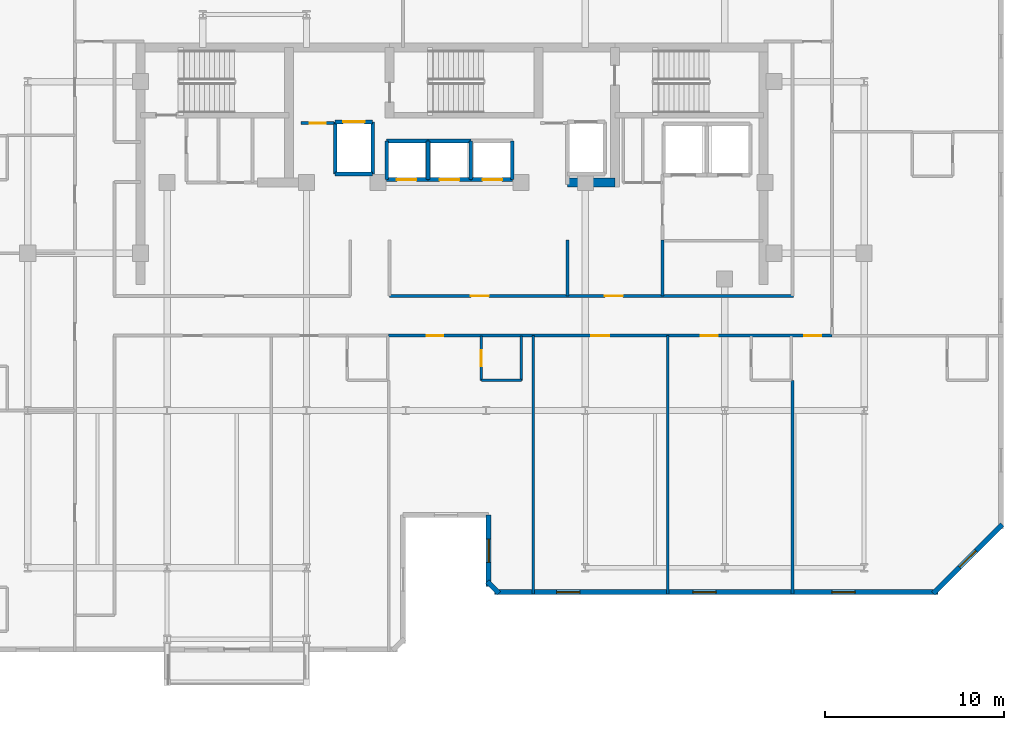
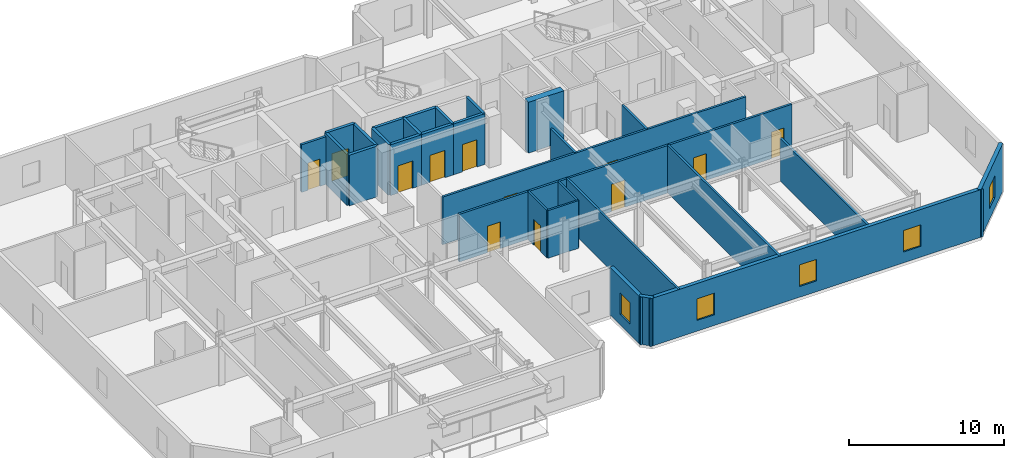
# One storey, part 5 of 10: 29 walls, 12 doors, 5 windows, 17 openings.
"""IFC4 building model written with IfcOpenShell, lengths in metres."""

from ifc_helpers import new_model, si_unit, direction, frame, frame_2d, origin, place, context, subcontext, project, spatial, rectangle, extrude, material, layer, layer_set, type_object, element, fill, save


model = new_model("IFC4")

# Units and contexts
model_context = context("Model", 3, precision=1e-05, world=origin(), true_north=direction((0.0, 1.0)))
body_context = subcontext(model_context, "Body", "Model", "MODEL_VIEW")
ifc_project = project(units=[si_unit("LENGTHUNIT", "METRE"), si_unit("AREAUNIT", "SQUARE_METRE"), si_unit("VOLUMEUNIT", "CUBIC_METRE"), si_unit("PLANEANGLEUNIT", "RADIAN"), si_unit("MASSUNIT", "GRAM", prefix="KILO")], contexts=[model_context])

# Site, building, storey
site_placement = place(None, origin())
site = spatial("IfcSite", under=ifc_project, at=site_placement, CompositionType="ELEMENT")
building_placement = place(site_placement, origin())
building = spatial("IfcBuilding", under=site, at=building_placement, Name="Kestravale Grand Hotel", CompositionType="ELEMENT")
storey_placement = place(building_placement, frame((0.0, 0.0, 273.39990234375)))
storey = spatial("IfcBuildingStorey", under=building, at=storey_placement, Name="L68", CompositionType="ELEMENT", Elevation=273.39990234375)

# Wall
ifc_material_1 = material(Name="Concrete f'c 50 MPa", Category="concrete")
ifc_layer_1 = layer(ifc_material_1, 0.5)
ifc_layer_set_1 = layer_set([ifc_layer_1], Name="EW-CORE-500")
wall_type_1 = type_object("IfcWallType", Name="EW-CORE-500", PredefinedType="SHEAR", material=ifc_layer_set_1)
wall_1_placement = place(storey_placement, frame((45.81005859375, 32.75, 0.0), z_axis=(0.0, 0.0, 1.0), x_axis=(1.0, 0.0, 0.0)))
element("IfcWall", 1, at=wall_1_placement, inside=storey, type_object=wall_type_1, Name="L68 core shear wall S2", PredefinedType="SHEAR", context=body_context, shape_type="SweptSolid", body=[
    extrude(rectangle(XDim=2.639892578125, YDim=0.5, at=frame_2d((1.31982421875, 0.0))), origin(), (0.0, 0.0, 1.0), 4.0),
])

# Wall, opening, window
ifc_material_2 = material(Name="Precast concrete f'c 45 MPa", Category="concrete")
ifc_layer_2 = layer(ifc_material_2, 0.280029296875)
ifc_layer_set_2 = layer_set([ifc_layer_2], Name="EW-PREC-280")
wall_type_2 = type_object("IfcWallType", Name="EW-PREC-280", PredefinedType="SOLIDWALL", material=ifc_layer_set_2)
wall_2_placement = place(storey_placement, frame((41.389892578125, 14.139892578125, 0.0), z_axis=(0.0, 0.0, 1.0), x_axis=(0.0, -1.0, 0.0)))
wall_2 = element("IfcWall", 2, at=wall_2_placement, inside=storey, type_object=wall_type_2, Name="L68 fluted precast facade wall 5", PredefinedType="SOLIDWALL", context=body_context, shape_type="SweptSolid", body=[
    extrude(rectangle(XDim=3.97998046875, YDim=0.280029296875, at=frame_2d((1.989990234375, 0.0))), origin(), (0.0, 0.0, 1.0), 3.760009765625),
])
opening_1_placement = place(wall_2_placement, frame((1.340087890625, 0.0, 0.85009765625)))
opening_1 = element("IfcOpeningElement", 3, at=opening_1_placement, cuts=wall_2, Name="Opening W-GUEST-1300", PredefinedType="OPENING", context=body_context, shape_type="SweptSolid", body=[
    extrude(rectangle(XDim=1.300048828125, YDim=1.699951171875, at=frame_2d((0.64990234375, 0.85009765625))), frame((0.0, 0.14990234375, 0.0), z_axis=(0.0, -1.0, 0.0), x_axis=(1.0, 0.0, 0.0)), (0.0, 0.0, 1.0), 0.300048828125),
])
ifc_material_3 = material(Name="Insulated low-E double glazing in aluminium frame", Category="aluminium")
window_type = type_object("IfcWindowType", Name="W-GUEST-1300", PartitioningType="SINGLE_PANEL", PredefinedType="WINDOW", material=ifc_material_3)
window_1_placement = place(opening_1_placement, origin())
window_1 = element("IfcWindow", 4, at=window_1_placement, inside=storey, type_object=window_type, Name="L68 exterior window 5.1", OverallHeight=1.699951171875, OverallWidth=1.300048828125, PartitioningType="SINGLE_PANEL", PredefinedType="WINDOW", context=body_context, shape_type="SweptSolid", body=[
    extrude(rectangle(XDim=1.300048828125, YDim=1.699951171875, at=frame_2d((0.64990234375, 0.85009765625))), frame((0.0, 0.030029296875, 0.0), z_axis=(0.0, -1.0, 0.0), x_axis=(1.0, 0.0, 0.0)), (0.0, 0.0, 1.0), 0.06005859375),
])
fill(opening_1, window_1)

# Wall
wall_3_placement = place(storey_placement, frame((41.32080078125, 10.42724609375, 0.0), z_axis=(0.0, 0.0, 1.0), x_axis=(0.707106781187, -0.707106781187, 0.0)))
element("IfcWall", 5, at=wall_3_placement, inside=storey, type_object=wall_type_2, Name="L68 fluted precast facade wall 6", PredefinedType="SOLIDWALL", context=body_context, shape_type="SweptSolid", body=[
    extrude(rectangle(XDim=0.928466796875, YDim=0.280029296875, at=frame_2d((0.46435546875, 0.0))), origin(), (0.0, 0.0, 1.0), 3.760009765625),
])

# Wall, openings, windows
wall_4_placement = place(storey_placement, frame((41.7099609375, 9.840087890625, 0.0), z_axis=(0.0, 0.0, 1.0), x_axis=(1.0, 0.0, 0.0)))
wall_4 = element("IfcWall", 6, at=wall_4_placement, inside=storey, type_object=wall_type_2, Name="L68 fluted precast facade wall 7", PredefinedType="SOLIDWALL", context=body_context, shape_type="SweptSolid", body=[
    extrude(rectangle(XDim=24.830078125, YDim=0.280029296875, at=frame_2d((12.4150390625, 0.0))), origin(), (0.0, 0.0, 1.0), 3.760009765625),
])
opening_2_placement = place(wall_4_placement, frame((3.48828125, 0.0, 0.85009765625)))
opening_2 = element("IfcOpeningElement", 7, at=opening_2_placement, cuts=wall_4, Name="Opening W-GUEST-1300", PredefinedType="OPENING", context=body_context, shape_type="SweptSolid", body=[
    extrude(rectangle(XDim=1.300048828125, YDim=1.699951171875, at=frame_2d((0.64990234375, 0.85009765625))), frame((0.0, 0.14990234375, 0.0), z_axis=(0.0, -1.0, 0.0), x_axis=(1.0, 0.0, 0.0)), (0.0, 0.0, 1.0), 0.300048828125),
])
opening_3_placement = place(wall_4_placement, frame((11.114990234375, 0.0, 0.85009765625)))
opening_3 = element("IfcOpeningElement", 8, at=opening_3_placement, cuts=wall_4, Name="Opening W-GUEST-1300", PredefinedType="OPENING", context=body_context, shape_type="SweptSolid", body=[
    extrude(rectangle(XDim=1.300048828125, YDim=1.699951171875, at=frame_2d((0.64990234375, 0.85009765625))), frame((0.0, 0.14990234375, 0.0), z_axis=(0.0, -1.0, 0.0), x_axis=(1.0, 0.0, 0.0)), (0.0, 0.0, 1.0), 0.300048828125),
])
opening_4_placement = place(wall_4_placement, frame((18.8916015625, 0.0, 0.85009765625)))
opening_4 = element("IfcOpeningElement", 9, at=opening_4_placement, cuts=wall_4, Name="Opening W-GUEST-1300", PredefinedType="OPENING", context=body_context, shape_type="SweptSolid", body=[
    extrude(rectangle(XDim=1.300048828125, YDim=1.699951171875, at=frame_2d((0.64990234375, 0.85009765625))), frame((0.0, 0.14990234375, 0.0), z_axis=(0.0, -1.0, 0.0), x_axis=(1.0, 0.0, 0.0)), (0.0, 0.0, 1.0), 0.300048828125),
])
window_2_placement = place(opening_2_placement, origin())
window_2 = element("IfcWindow", 10, at=window_2_placement, inside=storey, type_object=window_type, Name="L68 exterior window 7.1", OverallHeight=1.699951171875, OverallWidth=1.300048828125, PartitioningType="SINGLE_PANEL", PredefinedType="WINDOW", context=body_context, shape_type="SweptSolid", body=[
    extrude(rectangle(XDim=1.300048828125, YDim=1.699951171875, at=frame_2d((0.64990234375, 0.85009765625))), frame((0.0, 0.030029296875, 0.0), z_axis=(0.0, -1.0, 0.0), x_axis=(1.0, 0.0, 0.0)), (0.0, 0.0, 1.0), 0.06005859375),
])
fill(opening_2, window_2)
window_3_placement = place(opening_3_placement, origin())
window_3 = element("IfcWindow", 11, at=window_3_placement, inside=storey, type_object=window_type, Name="L68 exterior window 7.2", OverallHeight=1.699951171875, OverallWidth=1.300048828125, PartitioningType="SINGLE_PANEL", PredefinedType="WINDOW", context=body_context, shape_type="SweptSolid", body=[
    extrude(rectangle(XDim=1.300048828125, YDim=1.699951171875, at=frame_2d((0.64990234375, 0.85009765625))), frame((0.0, 0.030029296875, 0.0), z_axis=(0.0, -1.0, 0.0), x_axis=(1.0, 0.0, 0.0)), (0.0, 0.0, 1.0), 0.06005859375),
])
fill(opening_3, window_3)
window_4_placement = place(opening_4_placement, origin())
window_4 = element("IfcWindow", 12, at=window_4_placement, inside=storey, type_object=window_type, Name="L68 exterior window 7.3", OverallHeight=1.699951171875, OverallWidth=1.300048828125, PartitioningType="SINGLE_PANEL", PredefinedType="WINDOW", context=body_context, shape_type="SweptSolid", body=[
    extrude(rectangle(XDim=1.300048828125, YDim=1.699951171875, at=frame_2d((0.64990234375, 0.85009765625))), frame((0.0, 0.030029296875, 0.0), z_axis=(0.0, -1.0, 0.0), x_axis=(1.0, 0.0, 0.0)), (0.0, 0.0, 1.0), 0.06005859375),
])
fill(opening_4, window_4)

# Wall, opening, window
wall_5_placement = place(storey_placement, frame((66.272705078125, 9.770751953125, 0.0), z_axis=(0.0, 0.0, 1.0), x_axis=(0.707129162587, 0.707084399077, 0.0)))
wall_5 = element("IfcWall", 13, at=wall_5_placement, inside=storey, type_object=wall_type_2, Name="L68 fluted precast facade wall 8", PredefinedType="SOLIDWALL", context=body_context, shape_type="SweptSolid", body=[
    extrude(rectangle(XDim=5.4541015625, YDim=0.280029296875, at=frame_2d((2.72705078125, 0.0))), origin(), (0.0, 0.0, 1.0), 3.760009765625),
])
opening_5_placement = place(wall_5_placement, frame((2.076904296875, 0.0, 0.85009765625)))
opening_5 = element("IfcOpeningElement", 14, at=opening_5_placement, cuts=wall_5, Name="Opening W-GUEST-1300", PredefinedType="OPENING", context=body_context, shape_type="SweptSolid", body=[
    extrude(rectangle(XDim=1.300048828125, YDim=1.699951171875, at=frame_2d((0.64990234375, 0.85009765625))), frame((0.0, 0.14990234375, 0.0), z_axis=(0.0, -1.0, 0.0), x_axis=(1.0, 0.0, 0.0)), (0.0, 0.0, 1.0), 0.300048828125),
])
window_5_placement = place(opening_5_placement, origin())
window_5 = element("IfcWindow", 15, at=window_5_placement, inside=storey, type_object=window_type, Name="L68 exterior window 8.1", OverallHeight=1.699951171875, OverallWidth=1.300048828125, PartitioningType="SINGLE_PANEL", PredefinedType="WINDOW", context=body_context, shape_type="SweptSolid", body=[
    extrude(rectangle(XDim=1.300048828125, YDim=1.699951171875, at=frame_2d((0.64990234375, 0.85009765625))), frame((0.0, 0.030029296875, 0.0), z_axis=(0.0, -1.0, 0.0), x_axis=(1.0, 0.0, 0.0)), (0.0, 0.0, 1.0), 0.06005859375),
])
fill(opening_5, window_5)

# Wall, openings, doors
ifc_material_4 = material(Name="Acoustic fire-rated gypsum board partition", Category="other")
ifc_layer_3 = layer(ifc_material_4, 0.159912109375)
ifc_layer_set_3 = layer_set([ifc_layer_3], Name="IW-CORR-160")
wall_type_3 = type_object("IfcWallType", Name="IW-CORR-160", PredefinedType="PARTITIONING", material=ifc_layer_set_3)
wall_6_placement = place(storey_placement, frame((35.85009765625, 26.409912109375, 0.0), z_axis=(0.0, 0.0, 1.0), x_axis=(1.0, 0.0, 0.0)))
wall_6 = element("IfcWall", 16, at=wall_6_placement, inside=storey, type_object=wall_type_3, Name="W-L68-CE-N", PredefinedType="PARTITIONING", context=body_context, shape_type="SweptSolid", body=[
    extrude(rectangle(XDim=22.599853515625, YDim=0.159912109375, at=frame_2d((11.2998046875, 0.0))), origin(), (0.0, 0.0, 1.0), 3.760009765625),
])
opening_6_placement = place(wall_6_placement, frame((4.550048828125, 0.0, 0.0)))
opening_6 = element("IfcOpeningElement", 17, at=opening_6_placement, cuts=wall_6, Name="Opening D-GUEST-1000", PredefinedType="OPENING", context=body_context, shape_type="SweptSolid", body=[
    extrude(rectangle(XDim=1.0, YDim=2.14990234375, at=frame_2d((0.5, 1.074951171875))), frame((0.0, 0.08984375, 0.0), z_axis=(0.0, -1.0, 0.0), x_axis=(1.0, 0.0, 0.0)), (0.0, 0.0, 1.0), 0.179931640625),
])
opening_7_placement = place(wall_6_placement, frame((12.050048828125, 0.0, 0.0)))
opening_7 = element("IfcOpeningElement", 18, at=opening_7_placement, cuts=wall_6, Name="Opening D-GUEST-1000", PredefinedType="OPENING", context=body_context, shape_type="SweptSolid", body=[
    extrude(rectangle(XDim=1.0, YDim=2.14990234375, at=frame_2d((0.5, 1.074951171875))), frame((0.0, 0.08984375, 0.0), z_axis=(0.0, -1.0, 0.0), x_axis=(1.0, 0.0, 0.0)), (0.0, 0.0, 1.0), 0.179931640625),
])
ifc_material_5 = material(Name="Accessible walnut veneer hotel entrance fire door", Category="wood")
door_type_1 = type_object("IfcDoorType", Name="D-GUEST-1000", OperationType="NOTDEFINED", PredefinedType="DOOR", material=ifc_material_5)
door_1_placement = place(opening_6_placement, origin())
door_1 = element("IfcDoor", 19, at=door_1_placement, inside=storey, type_object=door_type_1, Name="D-L68-RECL-E1", OperationType="SINGLE_SWING_RIGHT", OverallHeight=2.14990234375, OverallWidth=1.0, PredefinedType="DOOR", context=body_context, shape_type="SweptSolid", body=[
    extrude(rectangle(XDim=1.0, YDim=2.14990234375, at=frame_2d((0.5, 1.074951171875))), frame((0.0, 0.02490234375, 0.0), z_axis=(0.0, -1.0, 0.0), x_axis=(1.0, 0.0, 0.0)), (0.0, 0.0, 1.0), 0.050048828125),
])
fill(opening_6, door_1)
door_2_placement = place(opening_7_placement, origin())
door_2 = element("IfcDoor", 20, at=door_2_placement, inside=storey, type_object=door_type_1, Name="D-L68-RECL-E2", OperationType="SINGLE_SWING_LEFT", OverallHeight=2.14990234375, OverallWidth=1.0, PredefinedType="DOOR", context=body_context, shape_type="SweptSolid", body=[
    extrude(rectangle(XDim=1.0, YDim=2.14990234375, at=frame_2d((0.5, 1.074951171875))), frame((0.0, 0.02490234375, 0.0), z_axis=(0.0, -1.0, 0.0), x_axis=(1.0, 0.0, 0.0)), (0.0, 0.0, 1.0), 0.050048828125),
])
fill(opening_7, door_2)

wall_7_placement = place(storey_placement, frame((35.800048828125, 24.18994140625, 0.0), z_axis=(0.0, 0.0, 1.0), x_axis=(1.0, 0.0, 0.0)))
wall_7 = element("IfcWall", 21, at=wall_7_placement, inside=storey, type_object=wall_type_3, Name="W-L68-CE-S", PredefinedType="PARTITIONING", context=body_context, shape_type="SweptSolid", body=[
    extrude(rectangle(XDim=24.81005859375, YDim=0.159912109375, at=frame_2d((12.405029296875, 0.0))), origin(), (0.0, 0.0, 1.0), 3.760009765625),
])
opening_8_placement = place(wall_7_placement, frame((2.114990234375, 0.0, 0.0)))
opening_8 = element("IfcOpeningElement", 22, at=opening_8_placement, cuts=wall_7, Name="Opening D-GUEST-950", PredefinedType="OPENING", context=body_context, shape_type="SweptSolid", body=[
    extrude(rectangle(XDim=0.949951171875, YDim=2.10009765625, at=frame_2d((0.47509765625, 1.050048828125))), frame((0.0, 0.08984375, 0.0), z_axis=(0.0, -1.0, 0.0), x_axis=(1.0, 0.0, 0.0)), (0.0, 0.0, 1.0), 0.179931640625),
])
opening_9_placement = place(wall_7_placement, frame((11.344970703125, 0.0, 0.0)))
opening_9 = element("IfcOpeningElement", 23, at=opening_9_placement, cuts=wall_7, Name="Opening D-GUEST-1000", PredefinedType="OPENING", context=body_context, shape_type="SweptSolid", body=[
    extrude(rectangle(XDim=1.0, YDim=2.14990234375, at=frame_2d((0.5, 1.074951171875))), frame((0.0, 0.08984375, 0.0), z_axis=(0.0, -1.0, 0.0), x_axis=(1.0, 0.0, 0.0)), (0.0, 0.0, 1.0), 0.179931640625),
])
opening_10_placement = place(wall_7_placement, frame((17.469970703125, 0.0, 0.0)))
opening_10 = element("IfcOpeningElement", 24, at=opening_10_placement, cuts=wall_7, Name="Opening D-GUEST-950", PredefinedType="OPENING", context=body_context, shape_type="SweptSolid", body=[
    extrude(rectangle(XDim=0.949951171875, YDim=2.10009765625, at=frame_2d((0.47509765625, 1.050048828125))), frame((0.0, 0.08984375, 0.0), z_axis=(0.0, -1.0, 0.0), x_axis=(1.0, 0.0, 0.0)), (0.0, 0.0, 1.0), 0.179931640625),
])
opening_11_placement = place(wall_7_placement, frame((23.264892578125, 0.0, 0.0)))
opening_11 = element("IfcOpeningElement", 25, at=opening_11_placement, cuts=wall_7, Name="Opening D-GUEST-950", PredefinedType="OPENING", context=body_context, shape_type="SweptSolid", body=[
    extrude(rectangle(XDim=0.949951171875, YDim=2.10009765625, at=frame_2d((0.47509765625, 1.050048828125))), frame((0.0, 0.08984375, 0.0), z_axis=(0.0, -1.0, 0.0), x_axis=(1.0, 0.0, 0.0)), (0.0, 0.0, 1.0), 0.179931640625),
])
door_3_placement = place(opening_9_placement, origin())
door_3 = element("IfcDoor", 26, at=door_3_placement, inside=storey, type_object=door_type_1, Name="D-L68-AME", OperationType="SINGLE_SWING_LEFT", OverallHeight=2.14990234375, OverallWidth=1.0, PredefinedType="DOOR", context=body_context, shape_type="SweptSolid", body=[
    extrude(rectangle(XDim=1.0, YDim=2.14990234375, at=frame_2d((0.5, 1.074951171875))), frame((0.0, 0.02490234375, 0.0), z_axis=(0.0, -1.0, 0.0), x_axis=(1.0, 0.0, 0.0)), (0.0, 0.0, 1.0), 0.050048828125),
])
fill(opening_9, door_3)
ifc_material_6 = material(Name="Walnut veneer hotel guestroom entrance fire door", Category="wood")
door_type_2 = type_object("IfcDoorType", Name="D-GUEST-950", OperationType="NOTDEFINED", PredefinedType="DOOR", material=ifc_material_6)
door_4_placement = place(opening_8_placement, origin())
door_4 = element("IfcDoor", 27, at=door_4_placement, inside=storey, type_object=door_type_2, Name="D-L68-U02-ENT", OperationType="SINGLE_SWING_RIGHT", OverallHeight=2.10009765625, OverallWidth=0.949951171875, PredefinedType="DOOR", context=body_context, shape_type="SweptSolid", body=[
    extrude(rectangle(XDim=0.949951171875, YDim=2.10009765625, at=frame_2d((0.47509765625, 1.050048828125))), frame((0.0, 0.02490234375, 0.0), z_axis=(0.0, -1.0, 0.0), x_axis=(1.0, 0.0, 0.0)), (0.0, 0.0, 1.0), 0.050048828125),
])
fill(opening_8, door_4)
door_5_placement = place(opening_10_placement, origin())
door_5 = element("IfcDoor", 28, at=door_5_placement, inside=storey, type_object=door_type_2, Name="D-L68-U03-ENT", OperationType="SINGLE_SWING_LEFT", OverallHeight=2.10009765625, OverallWidth=0.949951171875, PredefinedType="DOOR", context=body_context, shape_type="SweptSolid", body=[
    extrude(rectangle(XDim=0.949951171875, YDim=2.10009765625, at=frame_2d((0.47509765625, 1.050048828125))), frame((0.0, 0.02490234375, 0.0), z_axis=(0.0, -1.0, 0.0), x_axis=(1.0, 0.0, 0.0)), (0.0, 0.0, 1.0), 0.050048828125),
])
fill(opening_10, door_5)
door_6_placement = place(opening_11_placement, origin())
door_6 = element("IfcDoor", 29, at=door_6_placement, inside=storey, type_object=door_type_2, Name="D-L68-U07-ENT", OperationType="SINGLE_SWING_RIGHT", OverallHeight=2.10009765625, OverallWidth=0.949951171875, PredefinedType="DOOR", context=body_context, shape_type="SweptSolid", body=[
    extrude(rectangle(XDim=0.949951171875, YDim=2.10009765625, at=frame_2d((0.47509765625, 1.050048828125))), frame((0.0, 0.02490234375, 0.0), z_axis=(0.0, -1.0, 0.0), x_axis=(1.0, 0.0, 0.0)), (0.0, 0.0, 1.0), 0.050048828125),
])
fill(opening_11, door_6)

# Wall, opening, door
ifc_material_7 = material(Name="Fire-rated gypsum board on steel studs with mineral wool", Category="steel")
ifc_layer_4 = layer(ifc_material_7, 0.179931640625)
ifc_layer_set_4 = layer_set([ifc_layer_4], Name="IW-FSAE-180")
wall_type_4 = type_object("IfcWallType", Name="IW-FSAE-180", PredefinedType="PARTITIONING", material=ifc_layer_set_4)
wall_8_placement = place(storey_placement, frame((30.89990234375, 36.080078125, 0.0), z_axis=(0.0, 0.0, 1.0), x_axis=(1.0, 0.0, 0.0)))
wall_8 = element("IfcWall", 30, at=wall_8_placement, inside=storey, type_object=wall_type_4, Name="L68 FSAE Lobby 1 smoke barrier", PredefinedType="PARTITIONING", context=body_context, shape_type="SweptSolid", body=[
    extrude(rectangle(XDim=1.85009765625, YDim=0.179931640625, at=frame_2d((0.925048828125, 0.0))), origin(), (0.0, 0.0, 1.0), 3.760009765625),
])
opening_12_placement = place(wall_8_placement, frame((0.47998046875, 0.0, 0.0)))
opening_12 = element("IfcOpeningElement", 31, at=opening_12_placement, cuts=wall_8, Name="Opening D-FSAE-1000", PredefinedType="OPENING", context=body_context, shape_type="SweptSolid", body=[
    extrude(rectangle(XDim=0.89990234375, YDim=2.14990234375, at=frame_2d((0.449951171875, 1.074951171875))), frame((0.0, 0.099853515625, 0.0), z_axis=(0.0, -1.0, 0.0), x_axis=(1.0, 0.0, 0.0)), (0.0, 0.0, 1.0), 0.199951171875),
])
ifc_material_8 = material(Name="Smoke-gasketed FSAE lobby fire door", Category="steel")
door_type_3 = type_object("IfcDoorType", Name="D-FSAE-1000", OperationType="NOTDEFINED", PredefinedType="DOOR", material=ifc_material_8)
door_7_placement = place(opening_12_placement, origin())
door_7 = element("IfcDoor", 32, at=door_7_placement, inside=storey, type_object=door_type_3, Name="L68 FSAE Lobby 1 fire door", OperationType="SINGLE_SWING_RIGHT", OverallHeight=2.14990234375, OverallWidth=0.89990234375, PredefinedType="DOOR", context=body_context, shape_type="SweptSolid", body=[
    extrude(rectangle(XDim=0.89990234375, YDim=2.14990234375, at=frame_2d((0.449951171875, 1.074951171875))), frame((0.0, 0.02490234375, 0.0), z_axis=(0.0, -1.0, 0.0), x_axis=(1.0, 0.0, 0.0)), (0.0, 0.0, 1.0), 0.050048828125),
])
fill(opening_12, door_7)

ifc_material_9 = material(Name="Moisture-resistant tile-backer plumbing chase wall", Category="other")
ifc_layer_5 = layer(ifc_material_9, 0.139892578125)
ifc_layer_set_5 = layer_set([ifc_layer_5], Name="IW-PLB-140")
wall_type_5 = type_object("IfcWallType", Name="IW-PLB-140", PredefinedType="PLUMBINGWALL", material=ifc_layer_set_5)
wall_9_placement = place(storey_placement, frame((40.97998046875, 21.679931640625, 0.0), z_axis=(0.0, 0.0, 1.0), x_axis=(0.0, 1.0, 0.0)))
wall_9 = element("IfcWall", 33, at=wall_9_placement, inside=storey, type_object=wall_type_5, Name="W-L68-U02-BW", PredefinedType="PLUMBINGWALL", context=body_context, shape_type="SweptSolid", body=[
    extrude(rectangle(XDim=2.489990234375, YDim=0.139892578125, at=frame_2d((1.2451171875, 0.0))), origin(), (0.0, 0.0, 1.0), 3.760009765625),
])
opening_13_placement = place(wall_9_placement, frame((0.804931640625, 0.0, 0.0)))
opening_13 = element("IfcOpeningElement", 34, at=opening_13_placement, cuts=wall_9, Name="Opening D-BATH-880", PredefinedType="OPENING", context=body_context, shape_type="SweptSolid", body=[
    extrude(rectangle(XDim=0.8798828125, YDim=2.050048828125, at=frame_2d((0.43994140625, 1.02490234375))), frame((0.0, 0.079833984375, 0.0), z_axis=(0.0, -1.0, 0.0), x_axis=(1.0, 0.0, 0.0)), (0.0, 0.0, 1.0), 0.159912109375),
])
ifc_material_10 = material(Name="Moisture-sealed walnut en-suite bathroom door", Category="wood")
door_type_4 = type_object("IfcDoorType", Name="D-BATH-880", OperationType="NOTDEFINED", PredefinedType="DOOR", material=ifc_material_10)
door_8_placement = place(opening_13_placement, origin())
door_8 = element("IfcDoor", 35, at=door_8_placement, inside=storey, type_object=door_type_4, Name="D-L68-U02-BATH", OperationType="SINGLE_SWING_LEFT", OverallHeight=2.050048828125, OverallWidth=0.8798828125, PredefinedType="DOOR", context=body_context, shape_type="SweptSolid", body=[
    extrude(rectangle(XDim=0.8798828125, YDim=2.050048828125, at=frame_2d((0.43994140625, 1.02490234375))), frame((0.0, 0.02490234375, 0.0), z_axis=(0.0, -1.0, 0.0), x_axis=(1.0, 0.0, 0.0)), (0.0, 0.0, 1.0), 0.050048828125),
])
fill(opening_13, door_8)

# Walls
wall_10_placement = place(storey_placement, frame((43.22998046875, 21.679931640625, 0.0), z_axis=(0.0, 0.0, 1.0), x_axis=(0.0, 1.0, 0.0)))
element("IfcWall", 36, at=wall_10_placement, inside=storey, type_object=wall_type_5, Name="W-L68-U02-BE", PredefinedType="PLUMBINGWALL", context=body_context, shape_type="SweptSolid", body=[
    extrude(rectangle(XDim=2.489990234375, YDim=0.139892578125, at=frame_2d((1.2451171875, 0.0))), origin(), (0.0, 0.0, 1.0), 3.760009765625),
])
wall_11_placement = place(storey_placement, frame((40.97998046875, 21.679931640625, 0.0), z_axis=(0.0, 0.0, 1.0), x_axis=(1.0, 0.0, 0.0)))
element("IfcWall", 37, at=wall_11_placement, inside=storey, type_object=wall_type_5, Name="W-L68-U02-BS", PredefinedType="PLUMBINGWALL", context=body_context, shape_type="SweptSolid", body=[
    extrude(rectangle(XDim=2.25, YDim=0.139892578125, at=frame_2d((1.125, 0.0))), origin(), (0.0, 0.0, 1.0), 3.760009765625),
])
ifc_material_11 = material(Name="Concrete f'c 45 MPa", Category="concrete")
ifc_layer_6 = layer(ifc_material_11, 0.199951171875)
ifc_layer_set_6 = layer_set([ifc_layer_6], Name="IW-SHAFT-200")
wall_type_6 = type_object("IfcWallType", Name="IW-SHAFT-200", PredefinedType="SHEAR", material=ifc_layer_set_6)
for number, where, z_axis, x_axis, name in (
    (38, (35.679931640625, 32.919921875, 0.0), (0.0, 0.0, 1.0), (0.0, 1.0, 0.0), "L68 PL-X1 west shaft wall"),
    (39, (38.0, 32.919921875, 0.0), (0.0, 0.0, 1.0), (0.0, 1.0, 0.0), "L68 PL-X2 west shaft wall"),
    (40, (40.39990234375, 32.919921875, 0.0), (0.0, 0.0, 1.0), (0.0, 1.0, 0.0), "L68 PL-X3 west shaft wall"),
    (41, (42.719970703125, 32.919921875, 0.0), (0.0, 0.0, 1.0), (0.0, 1.0, 0.0), "L68 PL-X3 east shaft wall"),
):
    element("IfcWall", number, at=place(storey_placement, frame(where, z_axis=z_axis, x_axis=x_axis)), inside=storey, type_object=wall_type_6, Name=name, PredefinedType="SHEAR", context=body_context, shape_type="SweptSolid", body=[
        extrude(rectangle(XDim=2.16015625, YDim=0.199951171875, at=frame_2d((1.080078125, 0.0))), origin(), (0.0, 0.0, 1.0), 4.0),
    ])
for number, where, z_axis, x_axis, name in (
    (42, (32.804931640625, 33.2451171875, 0.0), (0.0, 0.0, 1.0), (0.0, 1.0, 0.0), "L68 FL-1 west shaft wall"),
    (43, (34.89501953125, 33.2451171875, 0.0), (0.0, 0.0, 1.0), (0.0, 1.0, 0.0), "L68 FL-1 east shaft wall"),
):
    element("IfcWall", number, at=place(storey_placement, frame(where, z_axis=z_axis, x_axis=x_axis)), inside=storey, type_object=wall_type_6, Name=name, PredefinedType="SHEAR", context=body_context, shape_type="SweptSolid", body=[
        extrude(rectangle(XDim=2.909912109375, YDim=0.199951171875, at=frame_2d((1.455078125, 0.0))), origin(), (0.0, 0.0, 1.0), 4.0),
    ])
ifc_material_12 = material(Name="Concrete f'c 45 MPa", Category="concrete")
ifc_layer_7 = layer(ifc_material_12, 0.219970703125)
ifc_layer_set_7 = layer_set([ifc_layer_7], Name="IW-SHAFT-220")
wall_type_7 = type_object("IfcWallType", Name="IW-SHAFT-220", PredefinedType="SHEAR", material=ifc_layer_set_7)
wall_12_placement = place(storey_placement, frame((35.679931640625, 35.080078125, 0.0), z_axis=(0.0, 0.0, 1.0), x_axis=(1.0, 0.0, 0.0)))
element("IfcWall", 44, at=wall_12_placement, inside=storey, type_object=wall_type_7, Name="L68 PL-X1 north shaft wall", PredefinedType="SHEAR", context=body_context, shape_type="SweptSolid", body=[
    extrude(rectangle(XDim=2.320068359375, YDim=0.219970703125, at=frame_2d((1.16015625, 0.0))), origin(), (0.0, 0.0, 1.0), 4.0),
])

# Wall, opening, door
wall_13_placement = place(storey_placement, frame((35.679931640625, 32.919921875, 0.0), z_axis=(0.0, 0.0, 1.0), x_axis=(1.0, 0.0, 0.0)))
wall_13 = element("IfcWall", 45, at=wall_13_placement, inside=storey, type_object=wall_type_7, Name="L68 PL-X1 south shaft wall", PredefinedType="SHEAR", context=body_context, shape_type="SweptSolid", body=[
    extrude(rectangle(XDim=2.320068359375, YDim=0.219970703125, at=frame_2d((1.16015625, 0.0))), origin(), (0.0, 0.0, 1.0), 4.0),
])
opening_14_placement = place(wall_13_placement, frame((0.570068359375, 0.0, 0.0)))
opening_14 = element("IfcOpeningElement", 46, at=opening_14_placement, cuts=wall_13, Name="Opening LD-PAX-1100", PredefinedType="OPENING", context=body_context, shape_type="SweptSolid", body=[
    extrude(rectangle(XDim=1.10009765625, YDim=2.14990234375, at=frame_2d((0.550048828125, 1.074951171875))), frame((0.0, 0.119873046875, 0.0), z_axis=(0.0, -1.0, 0.0), x_axis=(1.0, 0.0, 0.0)), (0.0, 0.0, 1.0), 0.239990234375),
])
ifc_material_13 = material(Name="Champagne-bronze center-opening sliding elevator landing door", Category="steel")
door_type_5 = type_object("IfcDoorType", Name="LD-PAX-1100", OperationType="NOTDEFINED", PredefinedType="DOOR", material=ifc_material_13)
door_9_placement = place(opening_14_placement, origin())
door_9 = element("IfcDoor", 47, at=door_9_placement, inside=storey, type_object=door_type_5, Name="L68 PL-X1 elevator landing sliding door", OperationType="DOUBLE_DOOR_SLIDING", OverallHeight=2.14990234375, OverallWidth=1.10009765625, PredefinedType="DOOR", context=body_context, shape_type="SweptSolid", body=[
    extrude(rectangle(XDim=1.10009765625, YDim=2.14990234375, at=frame_2d((0.550048828125, 1.074951171875))), frame((0.0, 0.02490234375, 0.0), z_axis=(0.0, -1.0, 0.0), x_axis=(1.0, 0.0, 0.0)), (0.0, 0.0, 1.0), 0.050048828125),
])
fill(opening_14, door_9)

# Wall
wall_14_placement = place(storey_placement, frame((38.0, 35.080078125, 0.0), z_axis=(0.0, 0.0, 1.0), x_axis=(1.0, 0.0, 0.0)))
element("IfcWall", 48, at=wall_14_placement, inside=storey, type_object=wall_type_7, Name="L68 PL-X2 north shaft wall", PredefinedType="SHEAR", context=body_context, shape_type="SweptSolid", body=[
    extrude(rectangle(XDim=2.39990234375, YDim=0.219970703125, at=frame_2d((1.199951171875, 0.0))), origin(), (0.0, 0.0, 1.0), 4.0),
])

# Wall, opening, door
wall_15_placement = place(storey_placement, frame((38.0, 32.919921875, 0.0), z_axis=(0.0, 0.0, 1.0), x_axis=(1.0, 0.0, 0.0)))
wall_15 = element("IfcWall", 49, at=wall_15_placement, inside=storey, type_object=wall_type_7, Name="L68 PL-X2 south shaft wall", PredefinedType="SHEAR", context=body_context, shape_type="SweptSolid", body=[
    extrude(rectangle(XDim=2.39990234375, YDim=0.219970703125, at=frame_2d((1.199951171875, 0.0))), origin(), (0.0, 0.0, 1.0), 4.0),
])
opening_15_placement = place(wall_15_placement, frame((0.64990234375, 0.0, 0.0)))
opening_15 = element("IfcOpeningElement", 50, at=opening_15_placement, cuts=wall_15, Name="Opening LD-PAX-1100", PredefinedType="OPENING", context=body_context, shape_type="SweptSolid", body=[
    extrude(rectangle(XDim=1.10009765625, YDim=2.14990234375, at=frame_2d((0.550048828125, 1.074951171875))), frame((0.0, 0.119873046875, 0.0), z_axis=(0.0, -1.0, 0.0), x_axis=(1.0, 0.0, 0.0)), (0.0, 0.0, 1.0), 0.239990234375),
])
door_10_placement = place(opening_15_placement, origin())
door_10 = element("IfcDoor", 51, at=door_10_placement, inside=storey, type_object=door_type_5, Name="L68 PL-X2 elevator landing sliding door", OperationType="DOUBLE_DOOR_SLIDING", OverallHeight=2.14990234375, OverallWidth=1.10009765625, PredefinedType="DOOR", context=body_context, shape_type="SweptSolid", body=[
    extrude(rectangle(XDim=1.10009765625, YDim=2.14990234375, at=frame_2d((0.550048828125, 1.074951171875))), frame((0.0, 0.02490234375, 0.0), z_axis=(0.0, -1.0, 0.0), x_axis=(1.0, 0.0, 0.0)), (0.0, 0.0, 1.0), 0.050048828125),
])
fill(opening_15, door_10)

wall_16_placement = place(storey_placement, frame((40.39990234375, 32.919921875, 0.0), z_axis=(0.0, 0.0, 1.0), x_axis=(1.0, 0.0, 0.0)))
wall_16 = element("IfcWall", 52, at=wall_16_placement, inside=storey, type_object=wall_type_7, Name="L68 PL-X3 south shaft wall", PredefinedType="SHEAR", context=body_context, shape_type="SweptSolid", body=[
    extrude(rectangle(XDim=2.320068359375, YDim=0.219970703125, at=frame_2d((1.16015625, 0.0))), origin(), (0.0, 0.0, 1.0), 4.0),
])
opening_16_placement = place(wall_16_placement, frame((0.64990234375, 0.0, 0.0)))
opening_16 = element("IfcOpeningElement", 53, at=opening_16_placement, cuts=wall_16, Name="Opening LD-PAX-1100", PredefinedType="OPENING", context=body_context, shape_type="SweptSolid", body=[
    extrude(rectangle(XDim=1.10009765625, YDim=2.14990234375, at=frame_2d((0.550048828125, 1.074951171875))), frame((0.0, 0.119873046875, 0.0), z_axis=(0.0, -1.0, 0.0), x_axis=(1.0, 0.0, 0.0)), (0.0, 0.0, 1.0), 0.239990234375),
])
door_11_placement = place(opening_16_placement, origin())
door_11 = element("IfcDoor", 54, at=door_11_placement, inside=storey, type_object=door_type_5, Name="L68 PL-X3 elevator landing sliding door", OperationType="DOUBLE_DOOR_SLIDING", OverallHeight=2.14990234375, OverallWidth=1.10009765625, PredefinedType="DOOR", context=body_context, shape_type="SweptSolid", body=[
    extrude(rectangle(XDim=1.10009765625, YDim=2.14990234375, at=frame_2d((0.550048828125, 1.074951171875))), frame((0.0, 0.02490234375, 0.0), z_axis=(0.0, -1.0, 0.0), x_axis=(1.0, 0.0, 0.0)), (0.0, 0.0, 1.0), 0.050048828125),
])
fill(opening_16, door_11)

wall_17_placement = place(storey_placement, frame((32.804931640625, 36.155029296875, 0.0), z_axis=(0.0, 0.0, 1.0), x_axis=(1.0, 0.0, 0.0)))
wall_17 = element("IfcWall", 55, at=wall_17_placement, inside=storey, type_object=wall_type_7, Name="L68 FL-1 north shaft wall", PredefinedType="SHEAR", context=body_context, shape_type="SweptSolid", body=[
    extrude(rectangle(XDim=2.090087890625, YDim=0.219970703125, at=frame_2d((1.044921875, 0.0))), origin(), (0.0, 0.0, 1.0), 4.0),
])
opening_17_placement = place(wall_17_placement, frame((0.445068359375, 0.0, 0.0)))
opening_17 = element("IfcOpeningElement", 56, at=opening_17_placement, cuts=wall_17, Name="Opening LD-FSAE-1200", PredefinedType="OPENING", context=body_context, shape_type="SweptSolid", body=[
    extrude(rectangle(XDim=1.199951171875, YDim=2.14990234375, at=frame_2d((0.60009765625, 1.074951171875))), frame((0.0, 0.119873046875, 0.0), z_axis=(0.0, -1.0, 0.0), x_axis=(1.0, 0.0, 0.0)), (0.0, 0.0, 1.0), 0.239990234375),
])
ifc_material_14 = material(Name="Stainless fire-service sliding elevator landing door", Category="steel")
door_type_6 = type_object("IfcDoorType", Name="LD-FSAE-1200", OperationType="NOTDEFINED", PredefinedType="DOOR", material=ifc_material_14)
door_12_placement = place(opening_17_placement, origin())
door_12 = element("IfcDoor", 57, at=door_12_placement, inside=storey, type_object=door_type_6, Name="L68 FL-1 elevator landing sliding door", OperationType="DOUBLE_DOOR_SLIDING", OverallHeight=2.14990234375, OverallWidth=1.199951171875, PredefinedType="DOOR", context=body_context, shape_type="SweptSolid", body=[
    extrude(rectangle(XDim=1.199951171875, YDim=2.14990234375, at=frame_2d((0.60009765625, 1.074951171875))), frame((0.0, 0.02490234375, 0.0), z_axis=(0.0, -1.0, 0.0), x_axis=(1.0, 0.0, 0.0)), (0.0, 0.0, 1.0), 0.050048828125),
])
fill(opening_17, door_12)

# Walls
wall_18_placement = place(storey_placement, frame((32.804931640625, 33.2451171875, 0.0), z_axis=(0.0, 0.0, 1.0), x_axis=(1.0, 0.0, 0.0)))
element("IfcWall", 58, at=wall_18_placement, inside=storey, type_object=wall_type_7, Name="L68 FL-1 south shaft wall", PredefinedType="SHEAR", context=body_context, shape_type="SweptSolid", body=[
    extrude(rectangle(XDim=2.090087890625, YDim=0.219970703125, at=frame_2d((1.044921875, 0.0))), origin(), (0.0, 0.0, 1.0), 4.0),
])
ifc_material_15 = material(Name="Double-stud STC 52 acoustic demising partition", Category="other")
ifc_layer_8 = layer(ifc_material_15, 0.14990234375)
ifc_layer_set_8 = layer_set([ifc_layer_8], Name="IW-UNIT-150")
wall_type_8 = type_object("IfcWallType", Name="IW-UNIT-150", PredefinedType="PARTITIONING", material=ifc_layer_set_8)
for number, where, z_axis, x_axis, name in (
    (59, (45.800048828125, 26.409912109375, 0.0), (0.0, 0.0, 1.0), (0.0, 1.0, 0.0), "W-L68-RCLE-M"),
    (60, (51.1201171875, 26.409912109375, 0.0), (0.0, 0.0, 1.0), (0.0, 1.0, 0.0), "W-L68-RCLE-E"),
):
    element("IfcWall", number, at=place(storey_placement, frame(where, z_axis=z_axis, x_axis=x_axis)), inside=storey, type_object=wall_type_8, Name=name, PredefinedType="PARTITIONING", context=body_context, shape_type="SweptSolid", body=[
        extrude(rectangle(XDim=3.14013671875, YDim=0.14990234375, at=frame_2d((1.570068359375, 0.0))), origin(), (0.0, 0.0, 1.0), 3.760009765625),
    ])
for number, where, z_axis, x_axis, name in (
    (61, (43.8798828125, 9.719970703125, 0.0), (0.0, 0.0, 1.0), (0.0, 1.0, 0.0), "W-L68-ES-1"),
    (62, (51.409912109375, 9.719970703125, 0.0), (0.0, 0.0, 1.0), (0.0, 1.0, 0.0), "W-L68-ES-2"),
):
    element("IfcWall", number, at=place(storey_placement, frame(where, z_axis=z_axis, x_axis=x_axis)), inside=storey, type_object=wall_type_8, Name=name, PredefinedType="PARTITIONING", context=body_context, shape_type="SweptSolid", body=[
        extrude(rectangle(XDim=14.469970703125, YDim=0.14990234375, at=frame_2d((7.23486328125, 0.0))), origin(), (0.0, 0.0, 1.0), 3.760009765625),
    ])
wall_19_placement = place(storey_placement, frame((58.389892578125, 9.719970703125, 0.0), z_axis=(0.0, 0.0, 1.0), x_axis=(0.0, 1.0, 0.0)))
element("IfcWall", 63, at=wall_19_placement, inside=storey, type_object=wall_type_8, Name="W-L68-SEC-W", PredefinedType="PARTITIONING", context=body_context, shape_type="SweptSolid", body=[
    extrude(rectangle(XDim=11.9599609375, YDim=0.14990234375, at=frame_2d((5.97998046875, 0.0))), origin(), (0.0, 0.0, 1.0), 3.356201171875),
])

save(model, "model.ifc")
